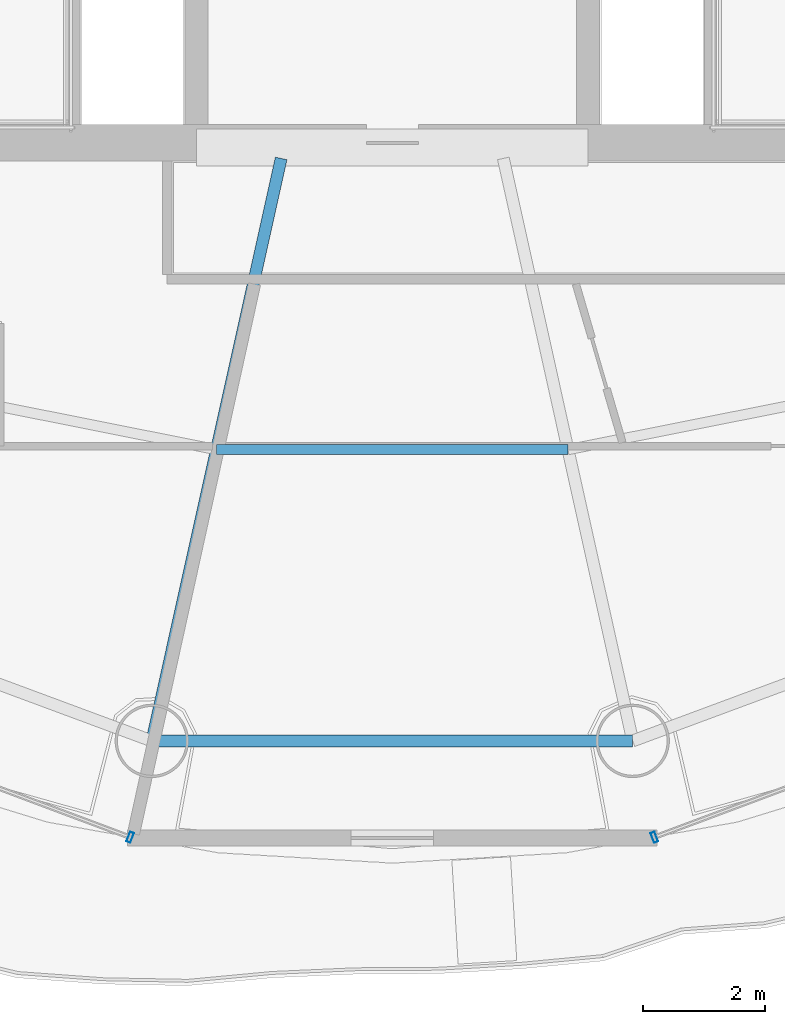
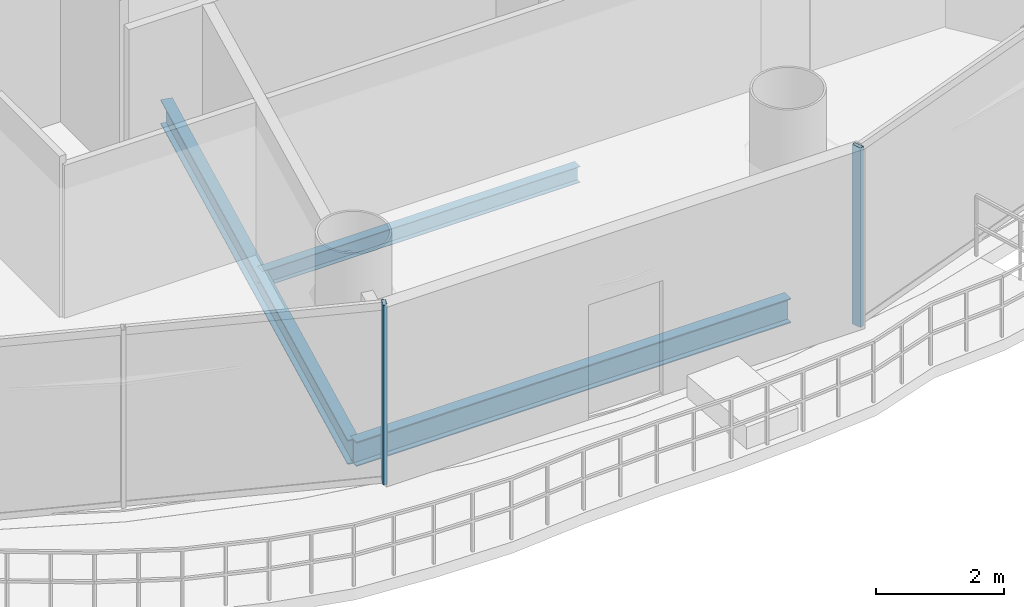
# One storey, part 5 of 26: 3 beams, 2 members, 2 elements without a shape of their own.
"""IFC4 building model written with IfcOpenShell, lengths in metres."""

from ifc_helpers import new_model, si_unit, direction, frame, origin, origin_2d, place, context, subcontext, project, spatial, hollow_rectangle, i_section, extrude, source, transform, mapped, material, material_profile, profile_set, type_object, element, aggregate, save


model = new_model("IFC4")

# Units and contexts
model_context = context("Model", 3, precision=1e-05, world=origin(), true_north=direction((-0.2419218956, 0.970295726276)))
body_context = subcontext(model_context, "Body", "Model", "MODEL_VIEW")
ifc_project = project(units=[si_unit("LENGTHUNIT", "METRE"), si_unit("AREAUNIT", "SQUARE_METRE"), si_unit("VOLUMEUNIT", "CUBIC_METRE"), si_unit("PLANEANGLEUNIT", "RADIAN"), si_unit("MASSUNIT", "GRAM", prefix="KILO")], contexts=[model_context])

# Site, building, storey
site_placement = place(None, origin())
site = spatial("IfcSite", under=ifc_project, at=site_placement, CompositionType="ELEMENT")
building_placement = place(site_placement, origin())
building = spatial("IfcBuilding", under=site, at=building_placement, Name="Cobrevalo Terracotta Tower", CompositionType="ELEMENT")
storey_placement = place(building_placement, frame((0.0, 0.0, 228.199951171875)))
storey = spatial("IfcBuildingStorey", under=building, at=storey_placement, Name="L60", CompositionType="ELEMENT", Elevation=228.199951171875)

# Beams
ifc_material_1 = material(Name="Steel S355", Category="steel")
ifc_material_profile_1 = material_profile(ifc_material_1, i_section(OverallWidth=0.194091796875, OverallDepth=0.468994140625, WebThickness=0.011474609375, FlangeThickness=0.0205078125, at=origin_2d()), Name="W 460x106")
ifc_profile_set_1 = profile_set([ifc_material_profile_1], Name="Steel S355")
beam_type_1 = type_object("IfcBeamType", Name="Structural Beam W 460x106 (Steel S355)", PredefinedType="BEAM", material=ifc_profile_set_1)
beam_1_placement = place(storey_placement, frame((34.06884765625, 9.096923828125, -0.49951171875), z_axis=(0.216782061165, 0.976220025382, 0.0), x_axis=(-0.976220025382, 0.216782061165, 0.0)))
element("IfcBeam", 1, at=beam_1_placement, inside=storey, type_object=beam_type_1, Name="L60 radial floor girder 12", PredefinedType="BEAM", context=body_context, shape_type="SweptSolid", body=[
    extrude(i_section(OverallWidth=0.194091796875, OverallDepth=0.468994140625, WebThickness=0.011474609375, FlangeThickness=0.0205078125, at=origin_2d()), origin(), (0.0, 0.0, 1.0), 9.755126953125),
])
ifc_material_profile_2 = material_profile(ifc_material_1, i_section(OverallWidth=0.1650390625, OverallDepth=0.31005859375, WebThickness=0.005859375, FlangeThickness=0.009765625, at=origin_2d()), Name="W 310x38.7")
ifc_profile_set_2 = profile_set([ifc_material_profile_2], Name="Steel S355")
beam_type_2 = type_object("IfcBeamType", Name="Structural Joist W 310x38.7 (Steel S355)", PredefinedType="JOIST", material=ifc_profile_set_2)
beam_2_placement = place(storey_placement, frame((35.126220703125, 13.8583984375, -0.419921875), z_axis=(1.0, 0.0, 0.0), x_axis=(0.0, 1.0, 0.0)))
element("IfcBeam", 2, at=beam_2_placement, inside=storey, type_object=beam_type_2, Name="L60 circumferential secondary floor joist 12", PredefinedType="JOIST", context=body_context, shape_type="SweptSolid", body=[
    extrude(i_section(OverallWidth=0.1650390625, OverallDepth=0.31005859375, WebThickness=0.005859375, FlangeThickness=0.009765625, at=origin_2d()), origin(), (0.0, 0.0, 1.0), 5.74755859375),
])
ifc_material_profile_3 = material_profile(ifc_material_1, i_section(OverallWidth=0.194091796875, OverallDepth=0.468994140625, WebThickness=0.011474609375, FlangeThickness=0.0205078125, at=origin_2d()), Name="W 460x106")
ifc_profile_set_3 = profile_set([ifc_material_profile_3], Name="Steel S355")
beam_type_3 = type_object("IfcBeamType", Name="Structural Spandrel W 460x106 (Steel S355)", PredefinedType="SPANDREL", material=ifc_profile_set_3)
beam_3_placement = place(storey_placement, frame((34.06884765625, 9.096923828125, -0.49951171875), z_axis=(1.0, 0.0, 0.0), x_axis=(0.0, 1.0, 0.0)))
element("IfcBeam", 3, at=beam_3_placement, inside=storey, type_object=beam_type_3, Name="L60 perimeter ring spandrel 12", PredefinedType="SPANDREL", context=body_context, shape_type="SweptSolid", body=[
    extrude(i_section(OverallWidth=0.194091796875, OverallDepth=0.468994140625, WebThickness=0.011474609375, FlangeThickness=0.0205078125, at=origin_2d()), origin(), (0.0, 0.0, 1.0), 7.8623046875),
])

# Curtain wall, member
ifc_material_2 = material(Name="Anodized aluminium", Category="aluminium")
curtain_wall_type = type_object("IfcCurtainWallType", Name="Mid-tower high-wind unitised curtain wall CW-U2", PredefinedType="NOTDEFINED", material=ifc_material_2)
curtain_wall_1_placement = place(storey_placement, origin())
curtain_wall_1 = element("IfcCurtainWall", 4, at=curtain_wall_1_placement, inside=storey, type_object=curtain_wall_type, Name="L60 curtain wall CW-L60-S11", PredefinedType="NOTDEFINED")
ifc_material_profile_4 = material_profile(ifc_material_2, hollow_rectangle(XDim=0.070068359375, YDim=0.169921875, WallThickness=0.00439453125, at=origin_2d()), Name="CWM 70x170")
ifc_profile_set_4 = profile_set([ifc_material_profile_4], Name="Anodized aluminium")
member_type = type_object("IfcMemberType", Name="Upper tower unitised mullion 70x170", PredefinedType="MULLION", material=ifc_profile_set_4)
shared_shape = source(origin(), body_context, "Body", "SweptSolid", [
    extrude(hollow_rectangle(XDim=0.070068359375, YDim=0.169921875, WallThickness=0.00439453125, at=origin_2d()), origin(), (0.0, 0.0, 1.0), 3.43505859375),
])
member_1_placement = place(storey_placement, frame((33.71533203125, 7.52197265625, 0.0), z_axis=(0.0, 0.0, 1.0), x_axis=(0.936556004584, -0.350517974259, 0.0)))
member_1 = element("IfcMember", 5, at=member_1_placement, type_object=member_type, Name="CW-L60-S11 vertical mullion 03", PredefinedType="MULLION", context=body_context, shape_type="MappedRepresentation", body=[
    mapped(shared_shape, transform((0.0, 0.0, 0.0), scale=1.0)),
])
aggregate(curtain_wall_1, [member_1])

curtain_wall_2_placement = place(storey_placement, origin())
curtain_wall_2 = element("IfcCurtainWall", 6, at=curtain_wall_2_placement, inside=storey, type_object=curtain_wall_type, Name="L60 curtain wall CW-L60-S13", PredefinedType="NOTDEFINED")
member_2_placement = place(storey_placement, frame((42.28466796875, 7.52197265625, 0.0), z_axis=(0.0, 0.0, 1.0), x_axis=(0.936556004584, 0.350517974259, 0.0)))
member_2 = element("IfcMember", 7, at=member_2_placement, type_object=member_type, Name="CW-L60-S13 vertical mullion 01", PredefinedType="MULLION", context=body_context, shape_type="MappedRepresentation", body=[
    mapped(shared_shape, transform((0.0, 0.0, 0.0), scale=1.0)),
])
aggregate(curtain_wall_2, [member_2])

save(model, "model.ifc")
